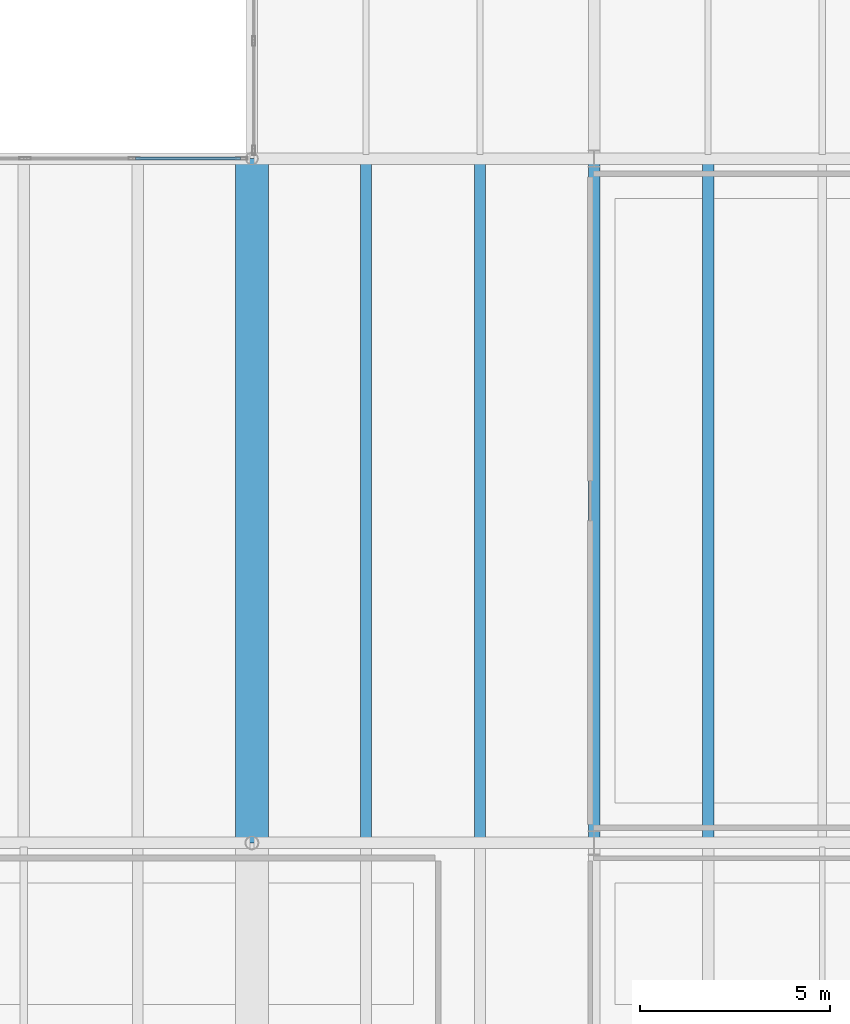
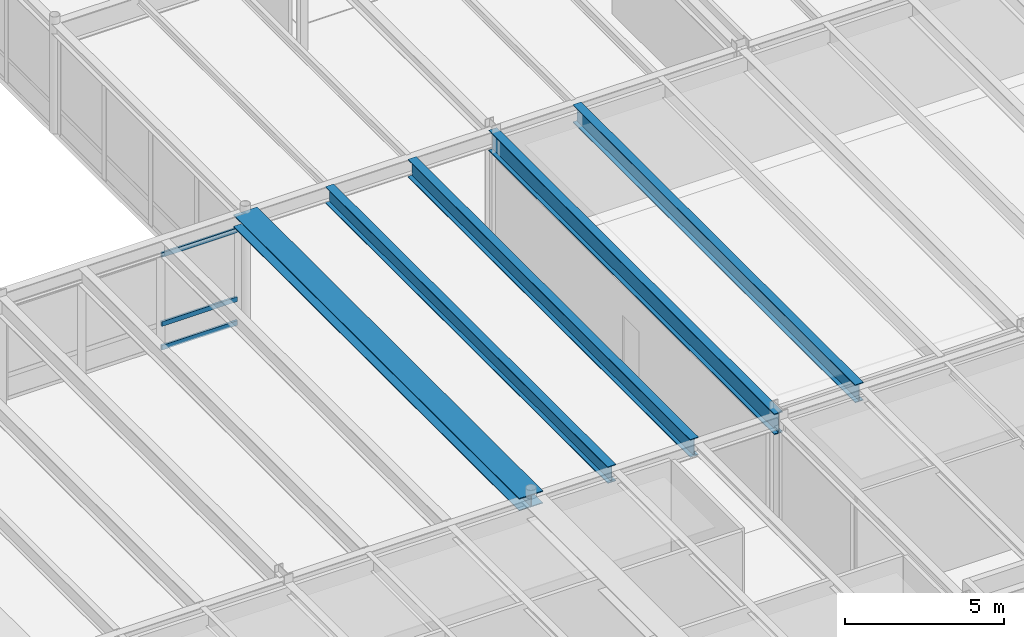
# One storey, part 39 of 127: 5 beams, 3 members, 1 element without a shape of its own.
"""IFC4 building model written with IfcOpenShell, lengths in metres."""

from ifc_helpers import new_model, si_unit, direction, frame, origin, origin_2d, place, context, subcontext, project, spatial, hollow_rectangle, i_section, extrude, material, layer, layer_set, material_profile, profile_set, type_object, element, aggregate, save


model = new_model("IFC4")

# Units and contexts
model_context = context("Model", 3, precision=1e-05, world=origin(), true_north=direction((0.0, 1.0)))
body_context = subcontext(model_context, "Body", "Model", "MODEL_VIEW")
ifc_project = project(units=[si_unit("LENGTHUNIT", "METRE"), si_unit("AREAUNIT", "SQUARE_METRE"), si_unit("VOLUMEUNIT", "CUBIC_METRE"), si_unit("PLANEANGLEUNIT", "RADIAN"), si_unit("MASSUNIT", "GRAM", prefix="KILO")], contexts=[model_context])

# Site, building, storey
site_placement = place(None, origin())
site = spatial("IfcSite", under=ifc_project, at=site_placement, CompositionType="ELEMENT")
building_placement = place(site_placement, origin())
building = spatial("IfcBuilding", under=site, at=building_placement, Name="Montelvaro Courts of Justice", CompositionType="ELEMENT")
storey_placement = place(building_placement, frame((0.0, 0.0, 5.39990234375)))
storey = spatial("IfcBuildingStorey", under=building, at=storey_placement, Name="L01", CompositionType="ELEMENT", Elevation=5.39990234375)

# Beams
ifc_material_1 = material(Name="Steel S355", Category="steel")
ifc_material_profile_1 = material_profile(ifc_material_1, i_section(OverallWidth=0.300048828125, OverallDepth=0.639892578125, WebThickness=0.013427734375, FlangeThickness=0.02587890625, at=origin_2d()), Name="HEA 650")
ifc_profile_set_1 = profile_set([ifc_material_profile_1], Name="Steel S355")
beam_type_1 = type_object("IfcBeamType", Name="Beam_HEA650", PredefinedType="USERDEFINED", material=ifc_profile_set_1)
beam_1_placement = place(storey_placement, frame((102.0, 24.110107421875, 3.900146484375), z_axis=(0.0, 1.0, 0.0), x_axis=(-1.0, 0.0, 0.0)))
element("IfcBeam", 1, at=beam_1_placement, inside=storey, type_object=beam_type_1, Name="Beam B-22 L01", ObjectType="GIRDER", PredefinedType="USERDEFINED", context=body_context, shape_type="SweptSolid", body=[
    extrude(i_section(OverallWidth=0.300048828125, OverallDepth=0.639892578125, WebThickness=0.013427734375, FlangeThickness=0.02587890625, at=origin_2d()), origin(), (0.0, 0.0, 1.0), 17.77978515625),
])
ifc_material_profile_2 = material_profile(ifc_material_1, i_section(OverallWidth=0.300048828125, OverallDepth=0.68994140625, WebThickness=0.014404296875, FlangeThickness=0.027099609375, at=origin_2d()), Name="HEA 700")
ifc_profile_set_2 = profile_set([ifc_material_profile_2], Name="Steel S355")
beam_type_2 = type_object("IfcBeamType", Name="Beam_HEA700", PredefinedType="USERDEFINED", material=ifc_profile_set_2)
for number, where, z_axis, x_axis, name in (
    (2, (105.0, 24.110107421875, 3.875), (0.0, 1.0, 0.0), (-1.0, 0.0, 0.0), "Beam B-23 L01"),
    (3, (111.0, 24.110107421875, 3.875), (0.0, 1.0, 0.0), (-1.0, 0.0, 0.0), "Beam B-23 L01"),
):
    element("IfcBeam", number, at=place(storey_placement, frame(where, z_axis=z_axis, x_axis=x_axis)), inside=storey, type_object=beam_type_2, Name=name, ObjectType="GIRDER", PredefinedType="USERDEFINED", context=body_context, shape_type="SweptSolid", body=[
        extrude(i_section(OverallWidth=0.300048828125, OverallDepth=0.68994140625, WebThickness=0.014404296875, FlangeThickness=0.027099609375, at=origin_2d()), origin(), (0.0, 0.0, 1.0), 17.77978515625),
    ])
ifc_material_profile_3 = material_profile(ifc_material_1, i_section(OverallWidth=0.300048828125, OverallDepth=0.800048828125, WebThickness=0.017578125, FlangeThickness=0.032958984375, at=origin_2d()), Name="HEB 800")
ifc_profile_set_3 = profile_set([ifc_material_profile_3], Name="Steel S355")
beam_type_3 = type_object("IfcBeamType", Name="Beam_HEB800", PredefinedType="USERDEFINED", material=ifc_profile_set_3)
beam_2_placement = place(storey_placement, frame((108.0, 24.0, 3.820068359375), z_axis=(0.0, 1.0, 0.0), x_axis=(-1.0, 0.0, 0.0)))
element("IfcBeam", 4, at=beam_2_placement, inside=storey, type_object=beam_type_3, Name="Beam B-29 L01", ObjectType="GIRDER", PredefinedType="USERDEFINED", context=body_context, shape_type="SweptSolid", body=[
    extrude(i_section(OverallWidth=0.300048828125, OverallDepth=0.800048828125, WebThickness=0.017578125, FlangeThickness=0.032958984375, at=origin_2d()), origin(), (0.0, 0.0, 1.0), 18.0),
])
ifc_material_profile_4 = material_profile(ifc_material_1, i_section(OverallWidth=0.860107421875, OverallDepth=0.47998046875, WebThickness=0.02001953125, FlangeThickness=0.031982421875, at=origin_2d()), Name="HL 480x860")
ifc_profile_set_4 = profile_set([ifc_material_profile_4], Name="Steel S355")
beam_type_4 = type_object("IfcBeamType", Name="Beam_MJSeat_860", PredefinedType="USERDEFINED", material=ifc_profile_set_4)
beam_3_placement = place(storey_placement, frame((99.0, 24.0, 3.97998046875), z_axis=(0.0, 1.0, 0.0), x_axis=(-1.0, 0.0, 0.0)))
element("IfcBeam", 5, at=beam_3_placement, inside=storey, type_object=beam_type_4, Name="Beam BC-01 L01", ObjectType="GIRDER", PredefinedType="USERDEFINED", context=body_context, shape_type="SweptSolid", body=[
    extrude(i_section(OverallWidth=0.860107421875, OverallDepth=0.47998046875, WebThickness=0.02001953125, FlangeThickness=0.031982421875, at=origin_2d()), origin(), (0.0, 0.0, 1.0), 18.0),
])

# Curtain wall, members
ifc_material_2 = material(Name="Anodised aluminium EN AW-6063", Category="aluminium")
ifc_layer = layer(ifc_material_2, 0.159912109375)
ifc_layer_set = layer_set([ifc_layer], Name="Anodised aluminium EN AW-6063")
curtain_wall_type = type_object("IfcCurtainWallType", Name="CurtainWall_17_861x418", PredefinedType="USERDEFINED", material=ifc_layer_set)
curtain_wall_placement = place(storey_placement, origin())
curtain_wall = element("IfcCurtainWall", 6, at=curtain_wall_placement, inside=storey, type_object=curtain_wall_type, Name="Curtain Wall CW-17 (L01)", ObjectType="CURTAIN WALL", PredefinedType="USERDEFINED")
ifc_material_profile_5 = material_profile(ifc_material_2, hollow_rectangle(XDim=0.074951171875, YDim=0.179931640625, WallThickness=0.0048828125, at=origin_2d()), Name="ALU-T 75x180")
ifc_profile_set_5 = profile_set([ifc_material_profile_5], Name="Anodised aluminium EN AW-6063")
member_type = type_object("IfcMemberType", Name="CurtainWall_Transom_75x180", PredefinedType="USERDEFINED", material=ifc_profile_set_5)
member_1_placement = place(storey_placement, frame((98.697998046875, 42.0, 0.03759765625), z_axis=(-1.0, 0.0, 0.0), x_axis=(0.0, -1.0, 0.0)))
member_1 = element("IfcMember", 7, at=member_1_placement, type_object=member_type, Name="CW-17 transom 1.1", ObjectType="TRANSOM", PredefinedType="USERDEFINED", context=body_context, shape_type="SweptSolid", body=[
    extrude(hollow_rectangle(XDim=0.074951171875, YDim=0.179931640625, WallThickness=0.0048828125, at=origin_2d()), origin(), (0.0, 0.0, 1.0), 2.7568359375),
])
member_2_placement = place(storey_placement, frame((98.697998046875, 42.0, 0.9501953125), z_axis=(-1.0, 0.0, 0.0), x_axis=(0.0, -1.0, 0.0)))
member_2 = element("IfcMember", 8, at=member_2_placement, type_object=member_type, Name="CW-17 transom 1.2", ObjectType="TRANSOM", PredefinedType="USERDEFINED", context=body_context, shape_type="SweptSolid", body=[
    extrude(hollow_rectangle(XDim=0.074951171875, YDim=0.179931640625, WallThickness=0.0048828125, at=origin_2d()), origin(), (0.0, 0.0, 1.0), 2.7568359375),
])
member_3_placement = place(storey_placement, frame((98.697998046875, 42.0, 3.59765625), z_axis=(-1.0, 0.0, 0.0), x_axis=(0.0, -1.0, 0.0)))
member_3 = element("IfcMember", 9, at=member_3_placement, type_object=member_type, Name="CW-17 transom 1.3", ObjectType="TRANSOM", PredefinedType="USERDEFINED", context=body_context, shape_type="SweptSolid", body=[
    extrude(hollow_rectangle(XDim=0.074951171875, YDim=0.179931640625, WallThickness=0.0048828125, at=origin_2d()), origin(), (0.0, 0.0, 1.0), 2.7568359375),
])
aggregate(curtain_wall, [member_1, member_2, member_3])

save(model, "model.ifc")
